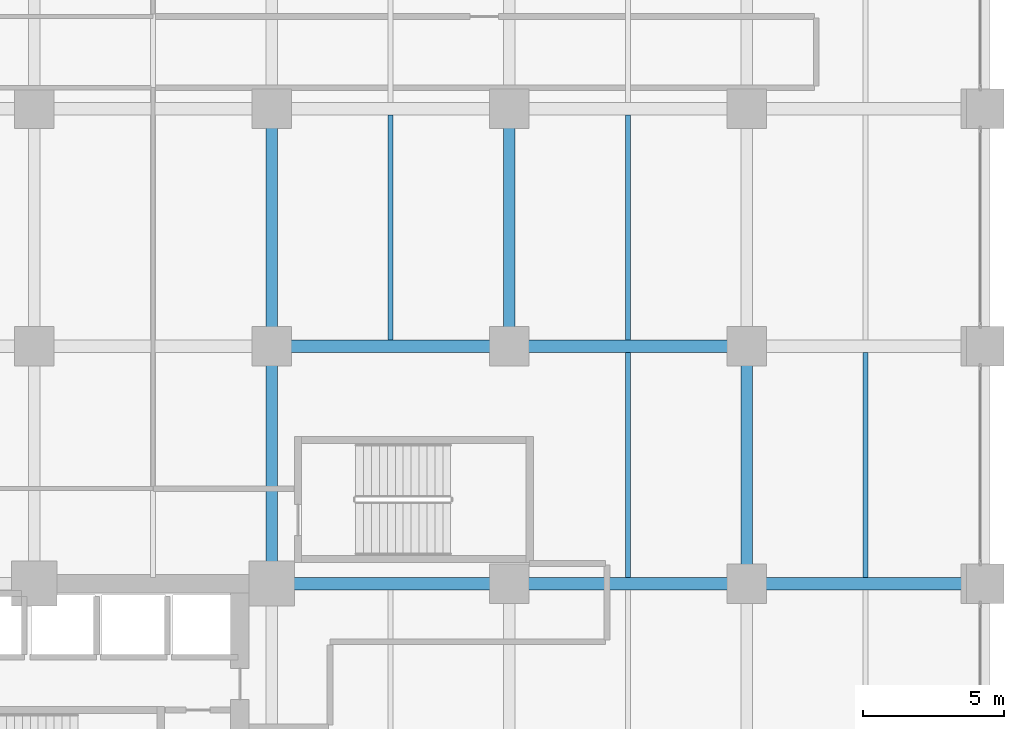
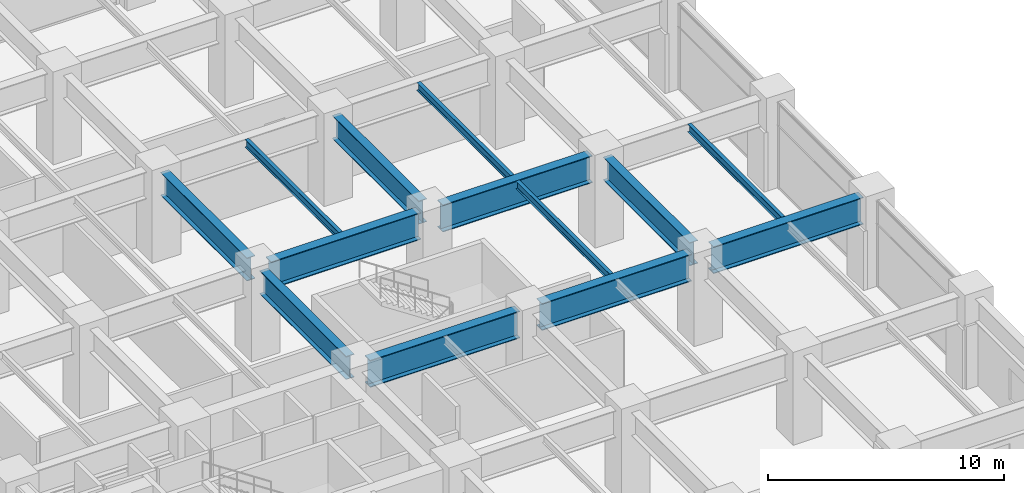
# One storey, part 7 of 24: 13 beams.
"""IFC4 building model written with IfcOpenShell, lengths in metres."""

from ifc_helpers import new_model, si_unit, direction, frame, origin, origin_2d, place, context, subcontext, project, spatial, i_section, extrude, material, material_profile, profile_set, type_object, element, save


model = new_model("IFC4")

# Units and contexts
model_context = context("Model", 3, precision=1e-05, world=origin(), true_north=direction((0.0, 1.0)))
body_context = subcontext(model_context, "Body", "Model", "MODEL_VIEW")
ifc_project = project(units=[si_unit("LENGTHUNIT", "METRE"), si_unit("AREAUNIT", "SQUARE_METRE"), si_unit("VOLUMEUNIT", "CUBIC_METRE"), si_unit("PLANEANGLEUNIT", "RADIAN"), si_unit("MASSUNIT", "GRAM", prefix="KILO")], contexts=[model_context])

# Site, building, storey
site_placement = place(None, origin())
site = spatial("IfcSite", under=ifc_project, at=site_placement, CompositionType="ELEMENT")
building_placement = place(site_placement, origin())
building = spatial("IfcBuilding", under=site, at=building_placement, Name="Nerrivon Quay Data Exchange", CompositionType="ELEMENT")
storey_placement = place(building_placement, frame((0.0, 0.0, 15.0)))
storey = spatial("IfcBuildingStorey", under=building, at=storey_placement, Name="L03", CompositionType="ELEMENT", Elevation=15.0)

# Beams
ifc_material = material(Name="Steel Grade 350", Category="steel")
ifc_material_profile_1 = material_profile(ifc_material, i_section(OverallWidth=0.177978515625, OverallDepth=0.406005859375, WebThickness=0.0078125, FlangeThickness=0.0126953125, FilletRadius=0.011474609375, at=origin_2d()), Name="410UB59.7")
ifc_profile_set_1 = profile_set([ifc_material_profile_1], Name="Steel Grade 350")
beam_type_1 = type_object("IfcBeamType", Name="BM-J1-410UB60", PredefinedType="JOIST", material=ifc_profile_set_1)
beam_1_placement = place(storey_placement, frame((37.800048828125, 25.425048828125, 4.2470703125), z_axis=(0.0, 1.0, 0.0), x_axis=(-1.0, 0.0, 0.0)))
element("IfcBeam", 1, at=beam_1_placement, inside=storey, type_object=beam_type_1, Name="L03 Secondary Joist X=37.8 (25.2..33.6)", PredefinedType="JOIST", context=body_context, shape_type="SweptSolid", body=[
    extrude(i_section(OverallWidth=0.177978515625, OverallDepth=0.406005859375, WebThickness=0.0078125, FlangeThickness=0.0126953125, FilletRadius=0.011474609375, at=origin_2d()), origin(), (0.0, 0.0, 1.0), 7.949951171875),
])
beam_2_placement = place(storey_placement, frame((46.199951171875, 17.02490234375, 4.2470703125), z_axis=(0.0, 1.0, 0.0), x_axis=(-1.0, 0.0, 0.0)))
element("IfcBeam", 2, at=beam_2_placement, inside=storey, type_object=beam_type_1, Name="L03 Secondary Joist X=46.2 (16.8..25.2)", PredefinedType="JOIST", context=body_context, shape_type="SweptSolid", body=[
    extrude(i_section(OverallWidth=0.177978515625, OverallDepth=0.406005859375, WebThickness=0.0078125, FlangeThickness=0.0126953125, FilletRadius=0.011474609375, at=origin_2d()), origin(), (0.0, 0.0, 1.0), 7.9501953125),
])
beam_3_placement = place(storey_placement, frame((46.199951171875, 25.425048828125, 4.2470703125), z_axis=(0.0, 1.0, 0.0), x_axis=(-1.0, 0.0, 0.0)))
element("IfcBeam", 3, at=beam_3_placement, inside=storey, type_object=beam_type_1, Name="L03 Secondary Joist X=46.2 (25.2..33.6)", PredefinedType="JOIST", context=body_context, shape_type="SweptSolid", body=[
    extrude(i_section(OverallWidth=0.177978515625, OverallDepth=0.406005859375, WebThickness=0.0078125, FlangeThickness=0.0126953125, FilletRadius=0.011474609375, at=origin_2d()), origin(), (0.0, 0.0, 1.0), 7.949951171875),
])
beam_4_placement = place(storey_placement, frame((54.60009765625, 17.02490234375, 4.2470703125), z_axis=(0.0, 1.0, 0.0), x_axis=(-1.0, 0.0, 0.0)))
element("IfcBeam", 4, at=beam_4_placement, inside=storey, type_object=beam_type_1, Name="L03 Secondary Joist X=54.6 (16.8..25.2)", PredefinedType="JOIST", context=body_context, shape_type="SweptSolid", body=[
    extrude(i_section(OverallWidth=0.177978515625, OverallDepth=0.406005859375, WebThickness=0.0078125, FlangeThickness=0.0126953125, FilletRadius=0.011474609375, at=origin_2d()), origin(), (0.0, 0.0, 1.0), 7.9501953125),
])
ifc_material_profile_2 = material_profile(ifc_material, i_section(OverallWidth=0.449951171875, OverallDepth=1.39990234375, WebThickness=0.02001953125, FlangeThickness=0.0400390625, at=origin_2d()), Name="1400WG455")
ifc_profile_set_2 = profile_set([ifc_material_profile_2], Name="Steel Grade 350")
beam_type_2 = type_object("IfcBeamType", Name="BM-TG1-1400WG", PredefinedType="USERDEFINED", material=ifc_profile_set_2)
for number, where, z_axis, x_axis, name in (
    (5, (34.139892578125, 16.800048828125, 3.75), (1.0, 0.0, 0.0), (0.0, 1.0, 0.0), "L03 EW Girder Y=16.8 (33.6..42.0)"),
    (6, (42.5400390625, 16.800048828125, 3.75), (1.0, 0.0, 0.0), (0.0, 1.0, 0.0), "L03 EW Girder Y=16.8 (42.0..50.4)"),
    (7, (50.93994140625, 16.800048828125, 3.75), (1.0, 0.0, 0.0), (0.0, 1.0, 0.0), "L03 EW Girder Y=16.8 (50.4..58.8)"),
    (8, (34.139892578125, 25.199951171875, 3.75), (1.0, 0.0, 0.0), (0.0, 1.0, 0.0), "L03 EW Girder Y=25.2 (33.6..42.0)"),
    (9, (42.5400390625, 25.199951171875, 3.75), (1.0, 0.0, 0.0), (0.0, 1.0, 0.0), "L03 EW Girder Y=25.2 (42.0..50.4)"),
):
    element("IfcBeam", number, at=place(storey_placement, frame(where, z_axis=z_axis, x_axis=x_axis)), inside=storey, type_object=beam_type_2, Name=name, ObjectType="TRANSFER", PredefinedType="USERDEFINED", context=body_context, shape_type="SweptSolid", body=[
        extrude(i_section(OverallWidth=0.449951171875, OverallDepth=1.39990234375, WebThickness=0.02001953125, FlangeThickness=0.0400390625, at=origin_2d()), origin(), (0.0, 0.0, 1.0), 7.320068359375),
    ])
ifc_material_profile_3 = material_profile(ifc_material, i_section(OverallWidth=0.39990234375, OverallDepth=1.199951171875, WebThickness=0.01611328125, FlangeThickness=0.031982421875, at=origin_2d()), Name="1200WB342")
ifc_profile_set_3 = profile_set([ifc_material_profile_3], Name="Steel Grade 350")
beam_type_3 = type_object("IfcBeamType", Name="BM-TG2-1200WB", PredefinedType="USERDEFINED", material=ifc_profile_set_3)
beam_5_placement = place(storey_placement, frame((33.60009765625, 17.340087890625, 3.85009765625), z_axis=(0.0, 1.0, 0.0), x_axis=(-1.0, 0.0, 0.0)))
element("IfcBeam", 10, at=beam_5_placement, inside=storey, type_object=beam_type_3, Name="L03 NS Girder X=33.6 (16.8..25.2)", ObjectType="TRANSFER", PredefinedType="USERDEFINED", context=body_context, shape_type="SweptSolid", body=[
    extrude(i_section(OverallWidth=0.39990234375, OverallDepth=1.199951171875, WebThickness=0.01611328125, FlangeThickness=0.031982421875, at=origin_2d()), origin(), (0.0, 0.0, 1.0), 7.31982421875),
])
for number, where, z_axis, x_axis, name in (
    (11, (33.60009765625, 25.739990234375, 3.85009765625), (0.0, 1.0, 0.0), (-1.0, 0.0, 0.0), "L03 NS Girder X=33.6 (25.2..33.6)"),
    (12, (42.0, 25.739990234375, 3.85009765625), (0.0, 1.0, 0.0), (-1.0, 0.0, 0.0), "L03 NS Girder X=42.0 (25.2..33.6)"),
):
    element("IfcBeam", number, at=place(storey_placement, frame(where, z_axis=z_axis, x_axis=x_axis)), inside=storey, type_object=beam_type_3, Name=name, ObjectType="TRANSFER", PredefinedType="USERDEFINED", context=body_context, shape_type="SweptSolid", body=[
        extrude(i_section(OverallWidth=0.39990234375, OverallDepth=1.199951171875, WebThickness=0.01611328125, FlangeThickness=0.031982421875, at=origin_2d()), origin(), (0.0, 0.0, 1.0), 7.320068359375),
    ])
beam_6_placement = place(storey_placement, frame((50.39990234375, 17.340087890625, 3.85009765625), z_axis=(0.0, 1.0, 0.0), x_axis=(-1.0, 0.0, 0.0)))
element("IfcBeam", 13, at=beam_6_placement, inside=storey, type_object=beam_type_3, Name="L03 NS Girder X=50.4 (16.8..25.2)", ObjectType="TRANSFER", PredefinedType="USERDEFINED", context=body_context, shape_type="SweptSolid", body=[
    extrude(i_section(OverallWidth=0.39990234375, OverallDepth=1.199951171875, WebThickness=0.01611328125, FlangeThickness=0.031982421875, at=origin_2d()), origin(), (0.0, 0.0, 1.0), 7.31982421875),
])

save(model, "model.ifc")
